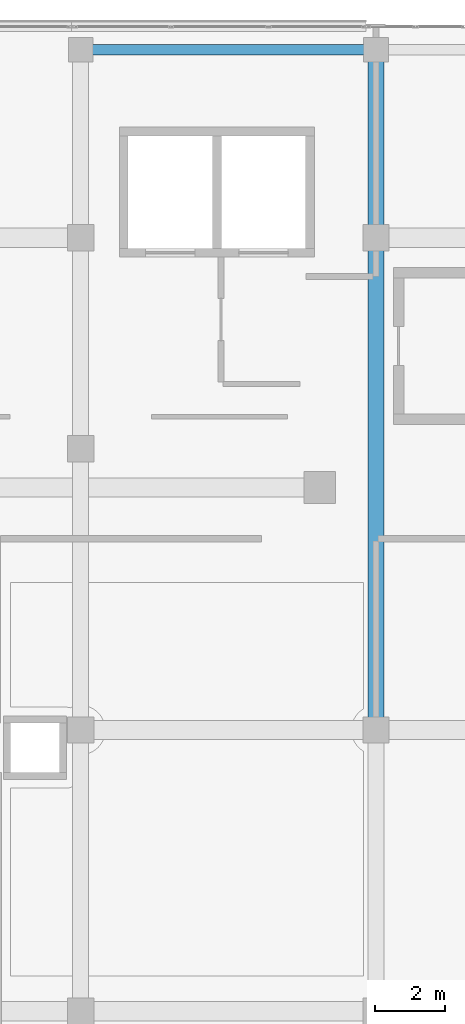
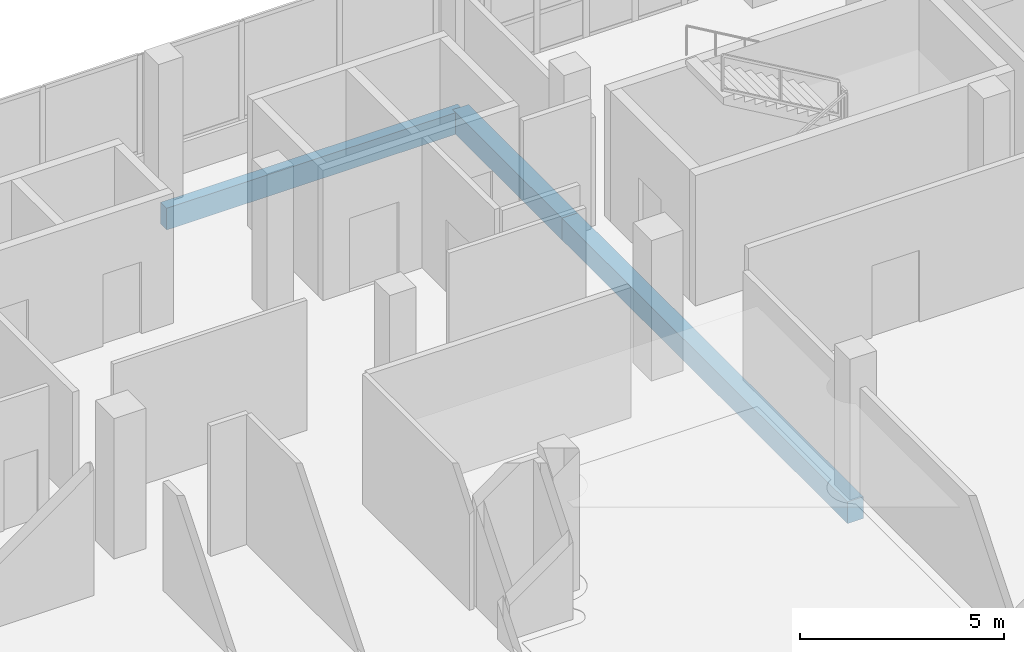
# One storey, part 118 of 184: 3 beams.
"""IFC4 building model written with IfcOpenShell, lengths in metres."""

import ifcopenshell
import ifcopenshell.guid

model = None  # the IFC model being written
_history = None  # IfcOwnerHistory: only IFC2X3 demands one
_inside = {}  # id of a spatial element -> (the spatial element, [elements in it])
_under = {}  # id of a project, library or spatial element -> (it, [spatial elements below it])
_declared = {}  # id of a project -> (the project, [libraries it declares])
_typed = {}  # id of a type object -> (the type object, [elements of that type])
_made_of = {}  # id of a material, layer set ... -> (it, [elements and type objects made of it])


def new_model(schema):
    """Start an empty IFC model of exactly this schema.

    Asked for "IFC4X3", IfcOpenShell would pick the latest addendum, in which some entities
    have other attributes; the version numbers below select the first issue.
    IFC2X3 requires an IfcOwnerHistory on every rooted entity: one is made here for all.
    """
    global model, _history
    if schema == "IFC4X3":
        model = ifcopenshell.file(schema_version=(4, 3, 0, 0))
    else:
        model = ifcopenshell.file(schema=schema)
    _inside.clear()
    _under.clear()
    _declared.clear()
    _typed.clear()
    _made_of.clear()
    _history = None
    if model.schema == "IFC2X3":
        org = make("IfcOrganization", Name="unknown")
        user = make(
            "IfcPersonAndOrganization",
            ThePerson=make("IfcPerson", FamilyName="unknown"),
            TheOrganization=org,
        )
        app = make(
            "IfcApplication",
            ApplicationDeveloper=org,
            Version="unknown",
            ApplicationFullName="unknown",
            ApplicationIdentifier="unknown",
        )
        _history = make(
            "IfcOwnerHistory",
            OwningUser=user,
            OwningApplication=app,
            ChangeAction="ADDED",
            CreationDate=0,
        )
    return model


def make(cls, **values):
    """One entity of the class cls with the attributes given. An attribute that is None is left unset."""
    return model.create_entity(
        cls, **{name: value for name, value in values.items() if value is not None}
    )


def rooted(cls, **values):
    """An entity with a GlobalId (a new one), such as an element, a storey or a relation."""
    return make(cls, GlobalId=ifcopenshell.guid.new(), OwnerHistory=_history, **values)


def si_unit(unit_type, name, prefix=None):
    """IfcSIUnit, for example si_unit("LENGTHUNIT", "METRE", prefix="MILLI")."""
    return make("IfcSIUnit", UnitType=unit_type, Prefix=prefix, Name=name)


def assignment(units):
    """IfcUnitAssignment: the units of a project."""
    return None if units is None else make("IfcUnitAssignment", Units=units)


def point(xyz):
    """IfcCartesianPoint."""
    return None if xyz is None else make("IfcCartesianPoint", Coordinates=xyz)


def direction(xyz):
    """IfcDirection."""
    return None if xyz is None else make("IfcDirection", DirectionRatios=xyz)


def frame(location, z_axis=None, x_axis=None):
    """IfcAxis2Placement3D, a coordinate frame: its origin and axes. An axis left out is left unset."""
    return make(
        "IfcAxis2Placement3D",
        Location=point(location),
        Axis=direction(z_axis),
        RefDirection=direction(x_axis),
    )


def frame_2d(location, x_axis=None):
    """IfcAxis2Placement2D, a coordinate frame in the plane: its origin and x axis."""
    return make(
        "IfcAxis2Placement2D", Location=point(location), RefDirection=direction(x_axis)
    )


def origin():
    """The frame at (0, 0, 0) with its axes left unset."""
    return frame((0.0, 0.0, 0.0))


def origin_2d():
    """The frame at (0, 0) in the plane with its x axis left unset."""
    return frame_2d((0.0, 0.0))


def place(relative_to, where):
    """IfcLocalPlacement: puts the frame where relative to a parent placement (None: the world)."""
    return make(
        "IfcLocalPlacement", PlacementRelTo=relative_to, RelativePlacement=where
    )


def context(
    kind, dimensions, precision=None, world=None, true_north=None, identifier=None
):
    """IfcGeometricRepresentationContext, for example the 3D "Model" context."""
    return make(
        "IfcGeometricRepresentationContext",
        ContextIdentifier=identifier,
        ContextType=kind,
        CoordinateSpaceDimension=dimensions,
        Precision=precision,
        WorldCoordinateSystem=world,
        TrueNorth=true_north,
    )


def subcontext(parent, identifier, kind, view, scale=None):
    """IfcGeometricRepresentationSubContext, for example "Body" below "Model"."""
    return make(
        "IfcGeometricRepresentationSubContext",
        ContextIdentifier=identifier,
        ContextType=kind,
        ParentContext=parent,
        TargetScale=scale,
        TargetView=view,
    )


def project(units=None, contexts=None):
    """IfcProject with its units and contexts."""
    return rooted(
        "IfcProject",
        Name="project",
        RepresentationContexts=contexts,
        UnitsInContext=assignment(units),
    )


def spatial(cls, under=None, at=None, **own):
    """A site, building, storey or space (cls), placed at a placement, below another one or the project."""
    s = rooted(cls, ObjectPlacement=at, **own)
    if under is not None:
        _under.setdefault(under.id(), (under, []))[1].append(s)
    return s


def profile(cls, at=None, kind="AREA", **sizes):
    """A parametric profile (cls). Its sizes go by their IFC names, for example OverallWidth=200.0."""
    return make(cls, ProfileType=kind, Position=at, **sizes)


def rectangle(**sizes):
    """IfcRectangleProfileDef."""
    return profile("IfcRectangleProfileDef", **sizes)


def extrude(swept, where, along, depth):
    """IfcExtrudedAreaSolid: the profile swept, set in the frame where, extruded along a direction by depth."""
    return make(
        "IfcExtrudedAreaSolid",
        SweptArea=swept,
        Position=where,
        ExtrudedDirection=direction(along),
        Depth=depth,
    )


def shape(context_of_items, identifier, shape_type, items):
    """IfcShapeRepresentation: the items that make up one representation, for example the "Body"."""
    return make(
        "IfcShapeRepresentation",
        ContextOfItems=context_of_items,
        RepresentationIdentifier=identifier,
        RepresentationType=shape_type,
        Items=items,
    )


def material(Name=None, Category=None):
    """IfcMaterial."""
    return make("IfcMaterial", Name=Name, Category=Category)


def material_profile(
    of_material, cross_section, Name=None, Category=None, Priority=None
):
    """IfcMaterialProfile: a cross section and its material."""
    return make(
        "IfcMaterialProfile",
        Name=Name,
        Material=of_material,
        Profile=cross_section,
        Priority=Priority,
        Category=Category,
    )


def profile_set(profiles, Name=None, composite=None):
    """IfcMaterialProfileSet."""
    return make(
        "IfcMaterialProfileSet",
        Name=Name,
        MaterialProfiles=profiles,
        CompositeProfile=composite,
    )


def made_of(thing, what):
    """Note that an element or type object is made of a material, layer set ...; save() writes the relation."""
    if what is not None:
        _made_of.setdefault(what.id(), (what, []))[1].append(thing)
    return thing


def type_object(cls, material=None, **own):
    """A type object (cls), such as IfcWallType, which elements share."""
    return made_of(rooted(cls, **own), material)


def element(
    cls,
    number,
    at=None,
    inside=None,
    cuts=None,
    type_object=None,
    material=None,
    context=None,
    identifier="Body",
    shape_type=None,
    held_by="IfcProductDefinitionShape",
    body=None,
    shapes=None,
    **own,
):
    """One element of the class cls, such as IfcWall. Its Tag is "e" and its number.

    at: its placement. inside: the storey or other place that contains it. cuts: it is an
    opening in that element (IfcRelVoidsElement). A single representation is given by context,
    identifier, shape_type and body (its items); several are given by shapes. held_by: the class
    of the entity that holds the representations. save() writes the other relations.
    """
    e = rooted(cls, Tag="e%d" % number, ObjectPlacement=at, **own)
    if body is not None:
        shapes = [shape(context, identifier, shape_type, body)]
    if shapes is not None:
        e.Representation = make(held_by, Representations=shapes)
    if inside is not None:
        _inside.setdefault(inside.id(), (inside, []))[1].append(e)
    if cuts is not None:
        rooted(
            "IfcRelVoidsElement", RelatingBuildingElement=cuts, RelatedOpeningElement=e
        )
    if type_object is not None:
        _typed.setdefault(type_object.id(), (type_object, []))[1].append(e)
    return made_of(e, material)


def aggregate(whole, parts):
    """IfcRelAggregates: a whole, such as a stair, and the parts it consists of."""
    return rooted("IfcRelAggregates", RelatingObject=whole, RelatedObjects=parts)


def save(model, path):
    """Write the relations noted so far, then the file.

    IfcRelAggregates (storeys below a building ...), IfcRelContainedInSpatialStructure (elements
    in a storey), IfcRelDefinesByType, IfcRelAssociatesMaterial and IfcRelDeclares: one each for
    every whole, place, type object, material and project.
    """
    for whole, parts in _under.values():
        aggregate(whole, parts)
    for where, things in _inside.values():
        rooted(
            "IfcRelContainedInSpatialStructure",
            RelatedElements=things,
            RelatingStructure=where,
        )
    for kind, things in _typed.values():
        rooted("IfcRelDefinesByType", RelatedObjects=things, RelatingType=kind)
    for what, things in _made_of.values():
        rooted("IfcRelAssociatesMaterial", RelatedObjects=things, RelatingMaterial=what)
    for by, libraries in _declared.values():
        rooted("IfcRelDeclares", RelatingContext=by, RelatedDefinitions=libraries)
    model.write(path)


model = new_model("IFC4")

# Units and contexts
model_context = context("Model", 3, precision=1e-05, world=origin(), true_north=direction((0.0, 1.0)))
body_context = subcontext(model_context, "Body", "Model", "MODEL_VIEW")
ifc_project = project(units=[si_unit("LENGTHUNIT", "METRE"), si_unit("AREAUNIT", "SQUARE_METRE"), si_unit("VOLUMEUNIT", "CUBIC_METRE"), si_unit("PLANEANGLEUNIT", "RADIAN"), si_unit("MASSUNIT", "GRAM", prefix="KILO")], contexts=[model_context])

# Site, building, storey
site_placement = place(None, origin())
site = spatial("IfcSite", under=ifc_project, at=site_placement, CompositionType="ELEMENT")
building_placement = place(site_placement, origin())
building = spatial("IfcBuilding", under=site, at=building_placement, Name="Selatvlak General Hospital", CompositionType="ELEMENT")
storey_placement = place(building_placement, frame((0.0, 0.0, 15.0)))
storey = spatial("IfcBuildingStorey", under=building, at=storey_placement, Name="L03", CompositionType="ELEMENT", Elevation=15.0)

# Beams
ifc_material = material(Name="Concrete C40/50", Category="concrete")
ifc_material_profile_1 = material_profile(ifc_material, rectangle(XDim=0.449951171875, YDim=0.64990234375, at=origin_2d()), Name="RC-BM 450x650")
ifc_profile_set_1 = profile_set([ifc_material_profile_1], Name="Concrete C40/50")
beam_type_1 = type_object("IfcBeamType", Name="BM-G04", PredefinedType="BEAM", material=ifc_profile_set_1)
beam_1_placement = place(storey_placement, frame((132.0, 100.0, -0.6650390625), z_axis=(0.0, 1.0, 0.0), x_axis=(-1.0, 0.0, 0.0)))
element("IfcBeam", 1, at=beam_1_placement, inside=storey, type_object=beam_type_1, Name="Beam BMR-L03-1374", PredefinedType="BEAM", context=body_context, shape_type="SweptSolid", body=[
    extrude(rectangle(XDim=0.449951171875, YDim=0.64990234375, at=origin_2d()), origin(), (0.0, 0.0, 1.0), 14.0),
])
beam_2_placement = place(storey_placement, frame((132.0, 114.0, -0.6650390625), z_axis=(0.0, 1.0, 0.0), x_axis=(-1.0, 0.0, 0.0)))
element("IfcBeam", 2, at=beam_2_placement, inside=storey, type_object=beam_type_1, Name="Beam BMR-L03-1375", PredefinedType="BEAM", context=body_context, shape_type="SweptSolid", body=[
    extrude(rectangle(XDim=0.449951171875, YDim=0.64990234375, at=origin_2d()), origin(), (0.0, 0.0, 1.0), 5.35009765625),
])
ifc_material_profile_2 = material_profile(ifc_material, rectangle(XDim=0.300048828125, YDim=0.64990234375, at=origin_2d()), Name="RC-SP 300x650")
ifc_profile_set_2 = profile_set([ifc_material_profile_2], Name="Concrete C40/50")
beam_type_2 = type_object("IfcBeamType", Name="BM-SP1", PredefinedType="SPANDREL", material=ifc_profile_set_2)
beam_3_placement = place(storey_placement, frame((123.60009765625, 119.35009765625, -0.6650390625), z_axis=(1.0, 0.0, 0.0), x_axis=(0.0, 1.0, 0.0)))
element("IfcBeam", 3, at=beam_3_placement, inside=storey, type_object=beam_type_2, Name="Beam BMR-L03-1284", PredefinedType="SPANDREL", context=body_context, shape_type="SweptSolid", body=[
    extrude(rectangle(XDim=0.300048828125, YDim=0.64990234375, at=origin_2d()), origin(), (0.0, 0.0, 1.0), 8.39990234375),
])

save(model, "model.ifc")
